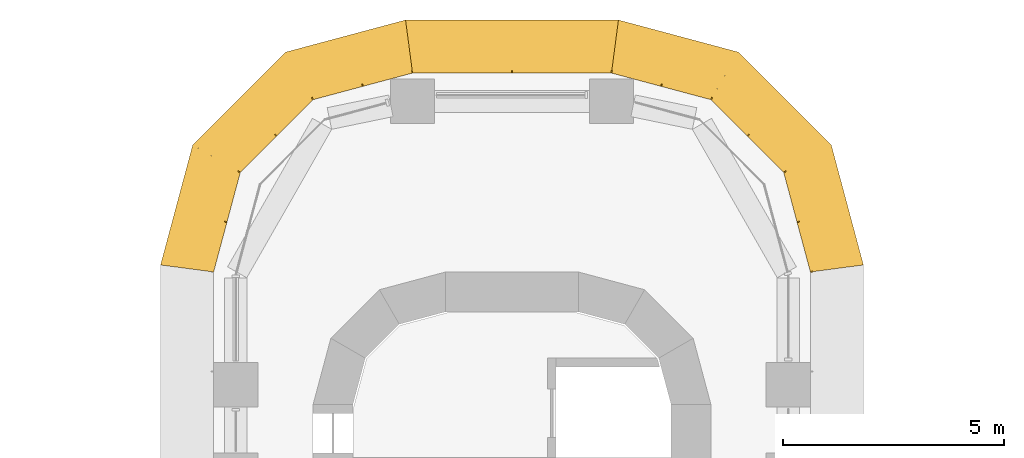
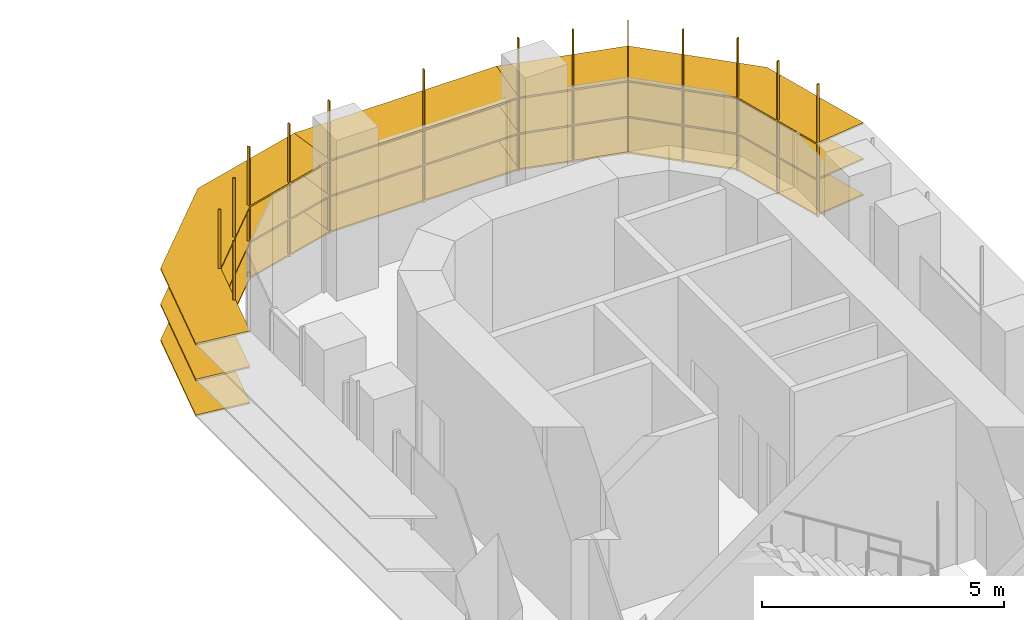
# One storey, part 23 of 23: 3 shading devices.
"""IFC4 building model written with IfcOpenShell, lengths in metres."""

from ifc_helpers import new_model, si_unit, direction, frame, origin, place, context, subcontext, project, spatial, polyline, outline, extrude, faceted_brep, source, transform, mapped, material, type_object, element, save


model = new_model("IFC4")

# Units and contexts
model_context = context("Model", 3, precision=1e-05, world=origin(), true_north=direction((0.0, 1.0)))
body_context = subcontext(model_context, "Body", "Model", "MODEL_VIEW")
ifc_project = project(units=[si_unit("LENGTHUNIT", "METRE"), si_unit("AREAUNIT", "SQUARE_METRE"), si_unit("VOLUMEUNIT", "CUBIC_METRE"), si_unit("PLANEANGLEUNIT", "RADIAN"), si_unit("MASSUNIT", "GRAM", prefix="KILO")], contexts=[model_context])

# Site, building, storey
site_placement = place(None, origin())
site = spatial("IfcSite", under=ifc_project, at=site_placement, CompositionType="ELEMENT")
building_placement = place(site_placement, origin())
building = spatial("IfcBuilding", under=site, at=building_placement, Name="Zarbagh Exchange Tower", CompositionType="ELEMENT")
storey_placement = place(building_placement, frame((0.0, 0.0, 73.199951171875)))
storey = spatial("IfcBuildingStorey", under=building, at=storey_placement, Name="L16", CompositionType="ELEMENT", Elevation=73.199951171875)

# Shading devices
ifc_material = material(Name="Anodised aluminium blades and brackets", Category="aluminium")
shading_device_type = type_object("IfcShadingDeviceType", Name="SUNSHADE louvre band, 0 degree blades", PredefinedType="JALOUSIE", material=ifc_material)
shared_shape_1 = source(origin(), body_context, "Body", "Brep", [
    faceted_brep([(0.0, 0.0, 0.0), (0.0, 0.0, -0.0400390625), (-0.157958984375, -1.199951171875, -0.0400390625), (-0.157958984375, -1.199951171875, 0.0), (2.65087890625, -1.199951171875, 0.0), (2.65087890625, -1.199951171875, -0.0400390625), (2.329345703125, 0.0, -0.0400390625), (2.329345703125, 0.0, 0.0)], [[[0, 1, 2, 3]], [[4, 5, 6, 7]], [[0, 7, 6, 1]], [[1, 6, 5, 2]], [[2, 5, 4, 3]], [[3, 4, 7, 0]]]),
])
shared_shape_2 = source(origin(), body_context, "Body", "Brep", [
    faceted_brep([(0.0, 0.0, 0.0), (0.0, 0.0, -0.0400390625), (-0.321533203125, -1.199951171875, -0.0400390625), (-0.321533203125, -1.199951171875, 0.0), (2.65087890625, -1.199951171875, 0.0), (2.65087890625, -1.199951171875, -0.0400390625), (2.329345703125, 0.0, -0.0400390625), (2.329345703125, 0.0, 0.0)], [[[0, 1, 2, 3]], [[4, 5, 6, 7]], [[0, 7, 6, 1]], [[1, 6, 5, 2]], [[2, 5, 4, 3]], [[3, 4, 7, 0]]]),
])
shared_shape_3 = source(origin(), body_context, "Body", "Brep", [
    faceted_brep([(0.0, 0.0, 0.0), (0.0, 0.0, -0.0400390625), (-0.321533203125, -1.199951171875, -0.0400390625), (-0.321533203125, -1.199951171875, 0.0), (2.4873046875, -1.199951171875, 0.0), (2.4873046875, -1.199951171875, -0.0400390625), (2.329345703125, 0.0, -0.0400390625), (2.329345703125, 0.0, 0.0)], [[[0, 1, 2, 3]], [[4, 5, 6, 7]], [[0, 7, 6, 1]], [[1, 6, 5, 2]], [[2, 5, 4, 3]], [[3, 4, 7, 0]]]),
])
shared_shape_4 = source(origin(), body_context, "Body", "SweptSolid", [
    extrude(outline(polyline([(0.0, -0.012451171875), (0.06005859375, -0.012451171875), (0.06005859375, 0.012451171875), (0.0, 0.012451171875), (0.0, -0.012451171875)])), origin(), (0.0, 0.0, 1.0), 3.35009765625),
])
placement = place(storey_placement, origin())
element("IfcShadingDevice", 1, at=placement, inside=storey, type_object=shading_device_type, Name="SS11 sunshade band", PredefinedType="JALOUSIE", context=body_context, shape_type="MappedRepresentation", body=[
    mapped(shared_shape_1, transform((6.75, 29.25, 2.699951171875), x_axis=(-0.258824779902, 0.965924289636, 0.0), y_axis=(-0.965924289636, -0.258824779902, 0.0), z_axis=(0.0, 0.0, 1.0))),
    mapped(shared_shape_1, transform((6.75, 29.25, 1.800048828125), x_axis=(-0.258824779902, 0.965924289636, 0.0), y_axis=(-0.965924289636, -0.258824779902, 0.0), z_axis=(0.0, 0.0, 1.0))),
    mapped(shared_shape_1, transform((6.75, 29.25, 0.900146484375), x_axis=(-0.258824779902, 0.965924289636, 0.0), y_axis=(-0.965924289636, -0.258824779902, 0.0), z_axis=(0.0, 0.0, 1.0))),
    mapped(shared_shape_2, transform((6.147216796875, 31.5, 2.699951171875), x_axis=(-0.707106781187, 0.707106781187, 0.0), y_axis=(-0.707106781187, -0.707106781187, 0.0), z_axis=(0.0, 0.0, 1.0))),
    mapped(shared_shape_2, transform((6.147216796875, 31.5, 1.800048828125), x_axis=(-0.707106781187, 0.707106781187, 0.0), y_axis=(-0.707106781187, -0.707106781187, 0.0), z_axis=(0.0, 0.0, 1.0))),
    mapped(shared_shape_2, transform((6.147216796875, 31.5, 0.900146484375), x_axis=(-0.707106781187, 0.707106781187, 0.0), y_axis=(-0.707106781187, -0.707106781187, 0.0), z_axis=(0.0, 0.0, 1.0))),
    mapped(shared_shape_3, transform((4.5, 33.147216796875, 2.699951171875), x_axis=(-0.965924289636, 0.258824779902, 0.0), y_axis=(-0.258824779902, -0.965924289636, 0.0), z_axis=(0.0, 0.0, 1.0))),
    mapped(shared_shape_3, transform((4.5, 33.147216796875, 1.800048828125), x_axis=(-0.965924289636, 0.258824779902, 0.0), y_axis=(-0.258824779902, -0.965924289636, 0.0), z_axis=(0.0, 0.0, 1.0))),
    mapped(shared_shape_3, transform((4.5, 33.147216796875, 0.900146484375), x_axis=(-0.965924289636, 0.258824779902, 0.0), y_axis=(-0.258824779902, -0.965924289636, 0.0), z_axis=(0.0, 0.0, 1.0))),
    mapped(shared_shape_4, transform((6.75, 29.25, 0.830078125), x_axis=(0.991444457092, 0.130529263012, 0.0), y_axis=(-0.130529263012, 0.991444457092, 0.0), z_axis=(0.0, 0.0, 1.0))),
    mapped(shared_shape_4, transform((6.448486328125, 30.375, 0.830078125), x_axis=(0.96592421511, 0.258825058029, 0.0), y_axis=(-0.258825058029, 0.96592421511, 0.0), z_axis=(0.0, 0.0, 1.0))),
    mapped(shared_shape_4, transform((6.147216796875, 31.5, 0.830078125), x_axis=(0.866023812018, 0.50000275701, 0.0), y_axis=(-0.50000275701, 0.866023812018, 0.0), z_axis=(0.0, 0.0, 1.0))),
    mapped(shared_shape_4, transform((5.323486328125, 32.323486328125, 0.830078125), x_axis=(0.707106781187, 0.707106781187, 0.0), y_axis=(-0.707106781187, 0.707106781187, 0.0), z_axis=(0.0, 0.0, 1.0))),
    mapped(shared_shape_4, transform((4.5, 33.147216796875, 0.830078125), x_axis=(0.50000275701, 0.866023812018, 0.0), y_axis=(-0.866023812018, 0.50000275701, 0.0), z_axis=(0.0, 0.0, 1.0))),
    mapped(shared_shape_4, transform((3.375, 33.448486328125, 0.830078125), x_axis=(0.258825058029, 0.96592421511, 0.0), y_axis=(-0.96592421511, 0.258825058029, 0.0), z_axis=(0.0, 0.0, 1.0))),
])
element("IfcShadingDevice", 2, at=placement, inside=storey, type_object=shading_device_type, Name="SS13 sunshade band", PredefinedType="JALOUSIE", context=body_context, shape_type="MappedRepresentation", body=[
    mapped(shared_shape_1, transform((-2.25, 33.75, 2.699951171875), x_axis=(-0.965924289636, -0.258824779902, 0.0), y_axis=(0.258824779902, -0.965924289636, 0.0), z_axis=(0.0, 0.0, 1.0))),
    mapped(shared_shape_1, transform((-2.25, 33.75, 1.800048828125), x_axis=(-0.965924289636, -0.258824779902, 0.0), y_axis=(0.258824779902, -0.965924289636, 0.0), z_axis=(0.0, 0.0, 1.0))),
    mapped(shared_shape_1, transform((-2.25, 33.75, 0.900146484375), x_axis=(-0.965924289636, -0.258824779902, 0.0), y_axis=(0.258824779902, -0.965924289636, 0.0), z_axis=(0.0, 0.0, 1.0))),
    mapped(shared_shape_2, transform((-4.5, 33.147216796875, 2.699951171875), x_axis=(-0.707106781187, -0.707106781187, 0.0), y_axis=(0.707106781187, -0.707106781187, 0.0), z_axis=(0.0, 0.0, 1.0))),
    mapped(shared_shape_2, transform((-4.5, 33.147216796875, 1.800048828125), x_axis=(-0.707106781187, -0.707106781187, 0.0), y_axis=(0.707106781187, -0.707106781187, 0.0), z_axis=(0.0, 0.0, 1.0))),
    mapped(shared_shape_2, transform((-4.5, 33.147216796875, 0.900146484375), x_axis=(-0.707106781187, -0.707106781187, 0.0), y_axis=(0.707106781187, -0.707106781187, 0.0), z_axis=(0.0, 0.0, 1.0))),
    mapped(shared_shape_3, transform((-6.147216796875, 31.5, 2.699951171875), x_axis=(-0.258824779902, -0.965924289636, 0.0), y_axis=(0.965924289636, -0.258824779902, 0.0), z_axis=(0.0, 0.0, 1.0))),
    mapped(shared_shape_3, transform((-6.147216796875, 31.5, 1.800048828125), x_axis=(-0.258824779902, -0.965924289636, 0.0), y_axis=(0.965924289636, -0.258824779902, 0.0), z_axis=(0.0, 0.0, 1.0))),
    mapped(shared_shape_3, transform((-6.147216796875, 31.5, 0.900146484375), x_axis=(-0.258824779902, -0.965924289636, 0.0), y_axis=(0.965924289636, -0.258824779902, 0.0), z_axis=(0.0, 0.0, 1.0))),
    mapped(shared_shape_4, transform((-2.25, 33.75, 0.830078125), x_axis=(-0.130529263012, 0.991444457092, 0.0), y_axis=(-0.991444457092, -0.130529263012, 0.0), z_axis=(0.0, 0.0, 1.0))),
    mapped(shared_shape_4, transform((-3.375, 33.448486328125, 0.830078125), x_axis=(-0.258825058029, 0.96592421511, 0.0), y_axis=(-0.96592421511, -0.258825058029, 0.0), z_axis=(0.0, 0.0, 1.0))),
    mapped(shared_shape_4, transform((-4.5, 33.147216796875, 0.830078125), x_axis=(-0.50000275701, 0.866023812018, 0.0), y_axis=(-0.866023812018, -0.50000275701, 0.0), z_axis=(0.0, 0.0, 1.0))),
    mapped(shared_shape_4, transform((-5.323486328125, 32.323486328125, 0.830078125), x_axis=(-0.707106781187, 0.707106781187, 0.0), y_axis=(-0.707106781187, -0.707106781187, 0.0), z_axis=(0.0, 0.0, 1.0))),
    mapped(shared_shape_4, transform((-6.147216796875, 31.5, 0.830078125), x_axis=(-0.866023812018, 0.50000275701, 0.0), y_axis=(-0.50000275701, -0.866023812018, 0.0), z_axis=(0.0, 0.0, 1.0))),
    mapped(shared_shape_4, transform((-6.448486328125, 30.375, 0.830078125), x_axis=(-0.96592421511, 0.258825058029, 0.0), y_axis=(-0.258825058029, -0.96592421511, 0.0), z_axis=(0.0, 0.0, 1.0))),
])
shared_shape_5 = source(origin(), body_context, "Body", "Brep", [
    faceted_brep([(0.0, 0.0, 0.0), (0.0, 0.0, -0.0400390625), (-0.157958984375, -1.199951171875, -0.0400390625), (-0.157958984375, -1.199951171875, 0.0), (4.657958984375, -1.199951171875, 0.0), (4.657958984375, -1.199951171875, -0.0400390625), (4.5, 0.0, -0.0400390625), (4.5, 0.0, 0.0)], [[[0, 1, 2, 3]], [[4, 5, 6, 7]], [[0, 7, 6, 1]], [[1, 6, 5, 2]], [[2, 5, 4, 3]], [[3, 4, 7, 0]]]),
])
element("IfcShadingDevice", 3, at=placement, inside=storey, type_object=shading_device_type, Name="SS12 sunshade band", PredefinedType="JALOUSIE", context=body_context, shape_type="MappedRepresentation", body=[
    mapped(shared_shape_5, transform((2.25, 33.75, 2.699951171875), x_axis=(-1.0, 0.0, 0.0), y_axis=(0.0, -1.0, 0.0), z_axis=(0.0, 0.0, 1.0))),
    mapped(shared_shape_5, transform((2.25, 33.75, 1.800048828125), x_axis=(-1.0, 0.0, 0.0), y_axis=(0.0, -1.0, 0.0), z_axis=(0.0, 0.0, 1.0))),
    mapped(shared_shape_5, transform((2.25, 33.75, 0.900146484375), x_axis=(-1.0, 0.0, 0.0), y_axis=(0.0, -1.0, 0.0), z_axis=(0.0, 0.0, 1.0))),
    mapped(shared_shape_4, transform((2.25, 33.75, 0.830078125), x_axis=(0.130529263012, 0.991444457092, 0.0), y_axis=(-0.991444457092, 0.130529263012, 0.0), z_axis=(0.0, 0.0, 1.0))),
    mapped(shared_shape_4, transform((0.0, 33.75, 0.830078125), x_axis=(0.0, 1.0, 0.0), y_axis=(-1.0, 0.0, 0.0), z_axis=(0.0, 0.0, 1.0))),
])

save(model, "model.ifc")
